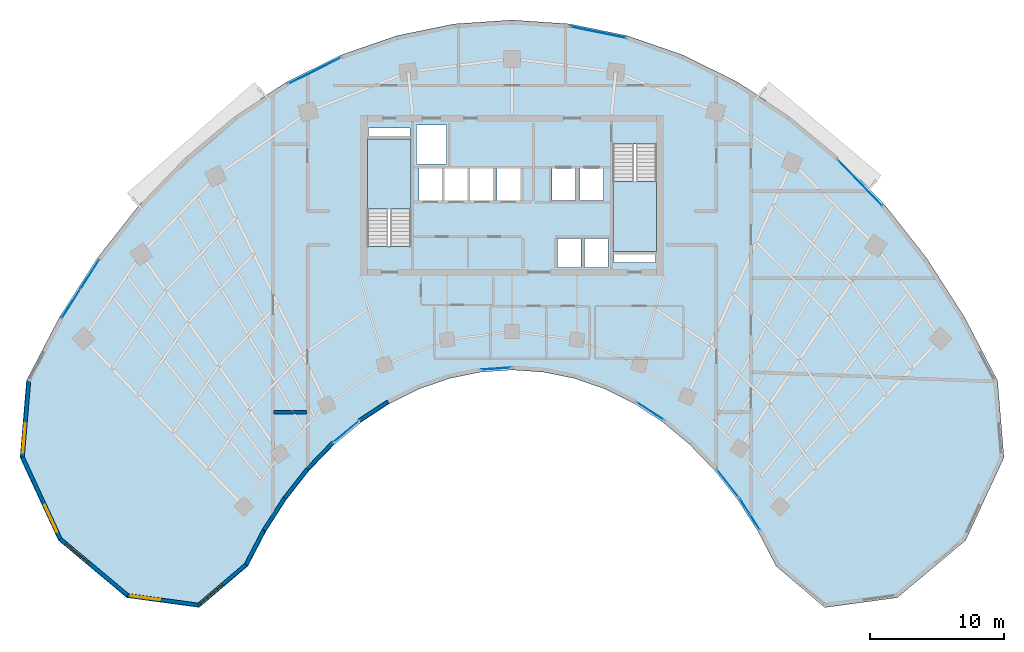
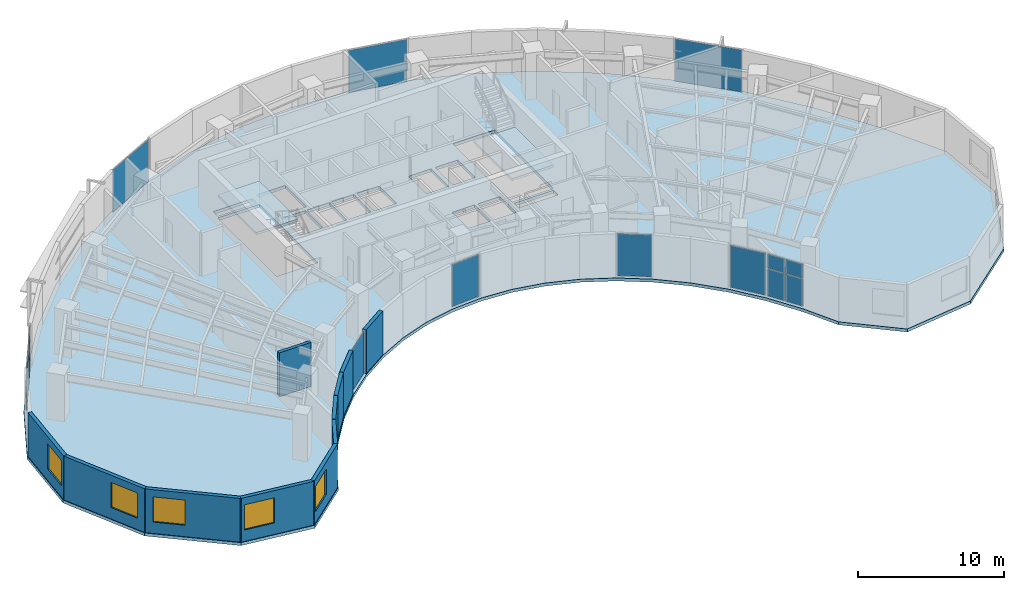
# One storey, part 7 of 14: 15 plates, 11 walls, 5 windows, 3 slabs, 5 openings, 11 elements without a shape of their own.
"""IFC4 building model written with IfcOpenShell, lengths in metres."""

from ifc_helpers import new_model, si_unit, direction, frame, frame_2d, origin, origin_2d, place, context, subcontext, project, spatial, polyline, rectangle, outline, extrude, source, transform, mapped, material, layer, layer_set, type_object, type_shapes, element, fill, aggregate, save


model = new_model("IFC4")

# Units and contexts
model_context = context("Model", 3, precision=1e-05, world=origin(), true_north=direction((0.0, 1.0)))
body_context = subcontext(model_context, "Body", "Model", "MODEL_VIEW")
ifc_project = project(units=[si_unit("LENGTHUNIT", "METRE"), si_unit("AREAUNIT", "SQUARE_METRE"), si_unit("VOLUMEUNIT", "CUBIC_METRE"), si_unit("PLANEANGLEUNIT", "RADIAN"), si_unit("MASSUNIT", "GRAM", prefix="KILO")], contexts=[model_context])

# Site, building, storey
site_placement = place(None, origin())
site = spatial("IfcSite", under=ifc_project, at=site_placement, CompositionType="ELEMENT")
building_placement = place(site_placement, origin())
building = spatial("IfcBuilding", under=site, at=building_placement, Name="Breltana Convention Tower", CompositionType="ELEMENT")
storey_placement = place(building_placement, frame((0.0, 0.0, 119.39990234375)))
storey = spatial("IfcBuildingStorey", under=building, at=storey_placement, Name="L28", CompositionType="ELEMENT", Elevation=119.39990234375)

# Slab
ifc_material_1 = material(Name="Concrete C40/50", Category="concrete")
ifc_layer_1 = layer(ifc_material_1, 0.25, Name="Concrete C40/50")
ifc_layer_set_1 = layer_set([ifc_layer_1], Name="Concrete C40/50")
slab_type_1 = type_object("IfcSlabType", Name="SL-OFF-250", PredefinedType="FLOOR", material=ifc_layer_set_1)
slab_1_placement = place(storey_placement, frame((0.0, 0.0, -0.25)))
element("IfcSlab", 1, at=slab_1_placement, inside=storey, type_object=slab_type_1, Name="L28 Suspended Structural Floor Slab", PredefinedType="FLOOR", context=body_context, shape_type="SweptSolid", body=[
    extrude(outline(polyline([(84.254150390625, 52.3564453125), (81.779052734375, 57.1103515625), (78.958251953125, 61.5048828125), (75.820556640625, 65.494873046875), (72.39794921875, 69.03955078125), (68.7255859375, 72.1025390625), (64.841064453125, 74.652587890625), (60.783935546875, 76.663818359375), (56.59619140625, 78.114990234375), (52.3203125, 78.99169921875), (48.0, 79.284912109375), (43.6796875, 78.99169921875), (39.40380859375, 78.114990234375), (35.216064453125, 76.663818359375), (31.158935546875, 74.652587890625), (27.2744140625, 72.1025390625), (23.60205078125, 69.03955078125), (20.179443359375, 65.494873046875), (17.041748046875, 61.5048828125), (14.220947265625, 57.1103515625), (11.745849609375, 52.3564453125), (11.266357421875, 46.619384765625), (14.128173828125, 40.42919921875), (19.23828125, 36.150146484375), (24.64501953125, 35.4169921875), (28.282958984375, 38.509521484375), (29.62890625, 41.09521484375), (31.1630859375, 43.485107421875), (32.869384765625, 45.655029296875), (34.73095703125, 47.5830078125), (36.728271484375, 49.248779296875), (38.8408203125, 50.6357421875), (41.04736328125, 51.7294921875), (43.324951171875, 52.518798828125), (45.650390625, 52.99560546875), (48.0, 53.155029296875), (50.349609375, 52.99560546875), (52.675048828125, 52.518798828125), (54.95263671875, 51.7294921875), (57.1591796875, 50.6357421875), (59.271728515625, 49.248779296875), (61.26904296875, 47.5830078125), (63.130615234375, 45.655029296875), (64.8369140625, 43.485107421875), (66.37109375, 41.09521484375), (67.717041015625, 38.509521484375), (71.35498046875, 35.4169921875), (76.76171875, 36.150146484375), (81.871826171875, 40.42919921875), (84.733642578125, 46.619384765625), (84.254150390625, 52.3564453125)]), holes=[polyline([(37.199951171875, 62.385009765625), (40.469970703125, 62.385009765625), (40.469970703125, 70.39990234375), (37.199951171875, 70.39990234375), (37.199951171875, 62.385009765625)]), polyline([(55.530029296875, 62.0), (58.800048828125, 62.0), (58.800048828125, 70.014892578125), (55.530029296875, 70.014892578125), (55.530029296875, 62.0)]), polyline([(51.39990234375, 60.800048828125), (53.159912109375, 60.800048828125), (53.159912109375, 62.97998046875), (51.39990234375, 62.97998046875), (51.39990234375, 60.800048828125)]), polyline([(53.39990234375, 60.800048828125), (55.159912109375, 60.800048828125), (55.159912109375, 62.97998046875), (53.39990234375, 62.97998046875), (53.39990234375, 60.800048828125)]), polyline([(41.0400390625, 65.820068359375), (42.800048828125, 65.820068359375), (42.800048828125, 68.179931640625), (41.0400390625, 68.179931640625), (41.0400390625, 65.820068359375)]), polyline([(42.93994140625, 65.820068359375), (44.699951171875, 65.820068359375), (44.699951171875, 68.179931640625), (42.93994140625, 68.179931640625), (42.93994140625, 65.820068359375)]), polyline([(44.8701171875, 65.820068359375), (46.6298828125, 65.820068359375), (46.6298828125, 68.179931640625), (44.8701171875, 68.179931640625), (44.8701171875, 65.820068359375)]), polyline([(46.8701171875, 65.820068359375), (48.6298828125, 65.820068359375), (48.6298828125, 68.179931640625), (46.8701171875, 68.179931640625), (46.8701171875, 65.820068359375)]), polyline([(50.969970703125, 65.800048828125), (52.72998046875, 65.800048828125), (52.72998046875, 68.179931640625), (50.969970703125, 68.179931640625), (50.969970703125, 65.800048828125)]), polyline([(53.070068359375, 65.800048828125), (54.830078125, 65.800048828125), (54.830078125, 68.179931640625), (53.070068359375, 68.179931640625), (53.070068359375, 65.800048828125)]), polyline([(40.8798828125, 68.550048828125), (43.1201171875, 68.550048828125), (43.1201171875, 71.449951171875), (40.8798828125, 71.449951171875), (40.8798828125, 68.550048828125)]), polyline([(37.300048828125, 70.60009765625), (40.3798828125, 70.60009765625), (40.3798828125, 71.219970703125), (37.300048828125, 71.219970703125), (37.300048828125, 70.60009765625)]), polyline([(55.6201171875, 61.179931640625), (58.699951171875, 61.179931640625), (58.699951171875, 61.800048828125), (55.6201171875, 61.800048828125), (55.6201171875, 61.179931640625)])]), origin(), (0.0, 0.0, 1.0), 0.25),
])

# Stair, slab
stair_type = type_object("IfcStairType", Name="ST-DOG-1560-R177", PredefinedType="HALF_TURN_STAIR", material=ifc_material_1)
stair_1_placement = place(storey_placement, origin())
stair_1 = element("IfcStair", 2, at=stair_1_placement, inside=storey, type_object=stair_type, Name="L28 Protected Core Exit Stair ST-1", PredefinedType="HALF_TURN_STAIR")
ifc_layer_2 = layer(ifc_material_1, 0.199951171875, Name="Concrete C40/50")
ifc_layer_set_2 = layer_set([ifc_layer_2], Name="Concrete C40/50")
slab_type_2 = type_object("IfcSlabType", Name="SL-STAIR-LANDING-200", PredefinedType="LANDING", material=ifc_layer_set_2)
slab_2_placement = place(storey_placement, frame((0.0, 0.0, 1.75)))
slab_2 = element("IfcSlab", 3, at=slab_2_placement, type_object=slab_type_2, Name="ST-1 landing 1", PredefinedType="LANDING", context=body_context, shape_type="SweptSolid", body=[
    extrude(outline(polyline([(40.469970703125, 65.159912109375), (40.469970703125, 70.39990234375), (37.199951171875, 70.39990234375), (37.199951171875, 65.159912109375), (40.469970703125, 65.159912109375)])), origin(), (0.0, 0.0, 1.0), 0.2001953125),
])
aggregate(stair_1, [slab_2])

stair_2_placement = place(storey_placement, origin())
stair_2 = element("IfcStair", 4, at=stair_2_placement, inside=storey, type_object=stair_type, Name="L28 Protected Core Exit Stair ST-2", PredefinedType="HALF_TURN_STAIR")
slab_3_placement = place(storey_placement, frame((0.0, 0.0, 1.75)))
slab_3 = element("IfcSlab", 5, at=slab_3_placement, type_object=slab_type_2, Name="ST-2 landing 1", PredefinedType="LANDING", context=body_context, shape_type="SweptSolid", body=[
    extrude(outline(polyline([(55.530029296875, 67.239990234375), (55.530029296875, 62.0), (58.800048828125, 62.0), (58.800048828125, 67.239990234375), (55.530029296875, 67.239990234375)])), origin(), (0.0, 0.0, 1.0), 0.2001953125),
])
aggregate(stair_2, [slab_3])

# Curtain wall, plates
ifc_material_2 = material(Name="Aluminium Anodised Bronze Frame", Category="aluminium")
ifc_layer_3 = layer(ifc_material_2, 0.18994140625, Name="Aluminium Anodised Bronze Frame")
ifc_layer_set_3 = layer_set([ifc_layer_3], Name="Aluminium Anodised Bronze Frame")
curtain_wall_type_1 = type_object("IfcCurtainWallType", Name="CW-SYS-1", PredefinedType="NOTDEFINED", material=ifc_layer_set_3)
curtain_wall_1_placement = place(storey_placement, origin())
curtain_wall_1 = element("IfcCurtainWall", 6, at=curtain_wall_1_placement, inside=storey, type_object=curtain_wall_type_1, Name="L28 inner south-court glazing 1", PredefinedType="NOTDEFINED")
ifc_material_3 = material(Name="Glass Low-E Double Glazing", Category="glass")
ifc_layer_4 = layer(ifc_material_3, 0.028076171875, Name="Glass Low-E Double Glazing")
ifc_layer_set_4 = layer_set([ifc_layer_4], Name="Glass Low-E Double Glazing")
plate_type_1 = type_object("IfcPlateType", Name="CWP-IGU-28", PredefinedType="CURTAIN_PANEL", material=ifc_layer_set_4)
shared_shape_1 = source(origin(), body_context, "Body", "SweptSolid", [
    extrude(rectangle(XDim=1.300048828125, YDim=0.028076171875, at=origin_2d()), origin(), (0.0, 0.0, 1.0), 2.25244140625),
])
plate_1_placement = place(storey_placement, frame((66.128173828125, 41.806640625, 0.080078125), z_axis=(0.0, 0.0, 1.0), x_axis=(-0.5401773017, 0.841551235949, 0.0)))
plate_1 = element("IfcPlate", 7, at=plate_1_placement, type_object=plate_type_1, Name="CW-01 panel 1.1", PredefinedType="CURTAIN_PANEL", context=body_context, shape_type="MappedRepresentation", body=[
    mapped(shared_shape_1, transform((0.0, 0.0, 0.0), scale=1.0)),
])
plate_2_placement = place(storey_placement, frame((65.3828125, 42.968017578125, 0.080078125), z_axis=(0.0, 0.0, 1.0), x_axis=(-0.5401773017, 0.841551235949, 0.0)))
plate_2 = element("IfcPlate", 8, at=plate_2_placement, type_object=plate_type_1, Name="CW-01 panel 2.1", PredefinedType="CURTAIN_PANEL", context=body_context, shape_type="MappedRepresentation", body=[
    mapped(shared_shape_1, transform((0.0, 0.0, 0.0), scale=1.0)),
])
shared_shape_2 = source(origin(), body_context, "Body", "SweptSolid", [
    extrude(rectangle(XDim=1.300048828125, YDim=0.028076171875, at=origin_2d()), origin(), (0.0, 0.0, 1.0), 1.157470703125),
])
plate_3_placement = place(storey_placement, frame((66.128173828125, 41.806640625, 2.41259765625), z_axis=(0.0, 0.0, 1.0), x_axis=(-0.5401773017, 0.841551235949, 0.0)))
plate_3 = element("IfcPlate", 9, at=plate_3_placement, type_object=plate_type_1, Name="CW-01 panel 1.2", PredefinedType="CURTAIN_PANEL", context=body_context, shape_type="MappedRepresentation", body=[
    mapped(shared_shape_2, transform((0.0, 0.0, 0.0), scale=1.0)),
])
plate_4_placement = place(storey_placement, frame((65.3828125, 42.968017578125, 2.41259765625), z_axis=(0.0, 0.0, 1.0), x_axis=(-0.5401773017, 0.841551235949, 0.0)))
plate_4 = element("IfcPlate", 10, at=plate_4_placement, type_object=plate_type_1, Name="CW-01 panel 2.2", PredefinedType="CURTAIN_PANEL", context=body_context, shape_type="MappedRepresentation", body=[
    mapped(shared_shape_2, transform((0.0, 0.0, 0.0), scale=1.0)),
])
aggregate(curtain_wall_1, [plate_1, plate_3, plate_2, plate_4])

# Curtain wall, plate
curtain_wall_2_placement = place(storey_placement, origin())
curtain_wall_2 = element("IfcCurtainWall", 11, at=curtain_wall_2_placement, inside=storey, type_object=curtain_wall_type_1, Name="L28 inner south-court glazing 2", PredefinedType="NOTDEFINED")
shared_shape_3 = source(origin(), body_context, "Body", "SweptSolid", [
    extrude(rectangle(XDim=2.6005859375, YDim=0.028076171875, at=origin_2d()), origin(), (0.0, 0.0, 1.0), 3.489990234375),
])
plate_5_placement = place(storey_placement, frame((64.125244140625, 44.681396484375, 0.080078125), z_axis=(0.0, 0.0, 1.0), x_axis=(-0.61815745037, 0.786054302547, 0.0)))
plate_5 = element("IfcPlate", 12, at=plate_5_placement, type_object=plate_type_1, Name="CW-01 panel 1.1", PredefinedType="CURTAIN_PANEL", context=body_context, shape_type="MappedRepresentation", body=[
    mapped(shared_shape_3, transform((0.0, 0.0, 0.0), scale=1.0)),
])
aggregate(curtain_wall_2, [plate_5])

curtain_wall_3_placement = place(storey_placement, origin())
curtain_wall_3 = element("IfcCurtainWall", 13, at=curtain_wall_3_placement, inside=storey, type_object=curtain_wall_type_1, Name="L28 inner south-court glazing 3", PredefinedType="NOTDEFINED")
shared_shape_4 = source(origin(), body_context, "Body", "SweptSolid", [
    extrude(rectangle(XDim=2.3671875, YDim=0.028076171875, at=origin_2d()), origin(), (0.0, 0.0, 1.0), 3.489990234375),
])
plate_6_placement = place(storey_placement, frame((58.314208984375, 50.0927734375, 0.080078125), z_axis=(0.0, 0.0, 1.0), x_axis=(-0.835967927261, 0.548778301858, 0.0)))
plate_6 = element("IfcPlate", 14, at=plate_6_placement, type_object=plate_type_1, Name="CW-01 panel 1.1", PredefinedType="CURTAIN_PANEL", context=body_context, shape_type="MappedRepresentation", body=[
    mapped(shared_shape_4, transform((0.0, 0.0, 0.0), scale=1.0)),
])
aggregate(curtain_wall_3, [plate_6])

curtain_wall_4_placement = place(storey_placement, origin())
curtain_wall_4 = element("IfcCurtainWall", 15, at=curtain_wall_4_placement, inside=storey, type_object=curtain_wall_type_1, Name="L28 inner south-court glazing 4", PredefinedType="NOTDEFINED")
shared_shape_5 = source(origin(), body_context, "Body", "SweptSolid", [
    extrude(rectangle(XDim=2.195068359375, YDim=0.028076171875, at=origin_2d()), origin(), (0.0, 0.0, 1.0), 3.489990234375),
])
plate_7_placement = place(storey_placement, frame((46.81298828125, 53.2548828125, 0.080078125), z_axis=(0.0, 0.0, 1.0), x_axis=(-0.997703821328, -0.067728021582, 0.0)))
plate_7 = element("IfcPlate", 16, at=plate_7_placement, type_object=plate_type_1, Name="CW-01 panel 1.1", PredefinedType="CURTAIN_PANEL", context=body_context, shape_type="MappedRepresentation", body=[
    mapped(shared_shape_5, transform((0.0, 0.0, 0.0), scale=1.0)),
])
aggregate(curtain_wall_4, [plate_7])

curtain_wall_5_placement = place(storey_placement, origin())
curtain_wall_5 = element("IfcCurtainWall", 17, at=curtain_wall_5_placement, inside=storey, type_object=curtain_wall_type_1, Name="L28 inner south-court glazing 5", PredefinedType="NOTDEFINED")
shared_shape_6 = source(origin(), body_context, "Body", "SweptSolid", [
    extrude(rectangle(XDim=2.44091796875, YDim=0.028076171875, at=origin_2d()), origin(), (0.0, 0.0, 1.0), 3.489990234375),
])
plate_8_placement = place(storey_placement, frame((35.6142578125, 48.553955078125, 0.080078125), z_axis=(0.0, 0.0, 1.0), x_axis=(-0.76794071768, -0.640520924036, 0.0)))
plate_8 = element("IfcPlate", 18, at=plate_8_placement, type_object=plate_type_1, Name="CW-01 panel 1.1", PredefinedType="CURTAIN_PANEL", context=body_context, shape_type="MappedRepresentation", body=[
    mapped(shared_shape_6, transform((0.0, 0.0, 0.0), scale=1.0)),
])
aggregate(curtain_wall_5, [plate_8])

# Curtain wall, plates
ifc_layer_5 = layer(ifc_material_2, 0.22998046875, Name="Aluminium Anodised Bronze Frame")
ifc_layer_set_5 = layer_set([ifc_layer_5], Name="Aluminium Anodised Bronze Frame")
curtain_wall_type_2 = type_object("IfcCurtainWallType", Name="CW-SYS-5", PredefinedType="NOTDEFINED", material=ifc_layer_set_5)
curtain_wall_6_placement = place(storey_placement, origin())
curtain_wall_6 = element("IfcCurtainWall", 19, at=curtain_wall_6_placement, inside=storey, type_object=curtain_wall_type_2, Name="L28 outer double-skin inner glazing 1", PredefinedType="NOTDEFINED")
ifc_layer_6 = layer(ifc_material_3, 0.035888671875, Name="Glass Low-E Double Glazing")
ifc_layer_set_6 = layer_set([ifc_layer_6], Name="Glass Low-E Double Glazing")
plate_type_2 = type_object("IfcPlateType", Name="CWP-IGU-36", PredefinedType="CURTAIN_PANEL", material=ifc_layer_set_6)
shared_shape_7 = source(origin(), body_context, "Body", "SweptSolid", [
    extrude(rectangle(XDim=2.49755859375, YDim=0.035888671875, at=origin_2d()), origin(), (0.0, 0.0, 1.0), 2.267578125),
])
plate_9_placement = place(storey_placement, frame((15.089111328125, 58.1298828125, 0.070068359375), z_axis=(0.0, 0.0, 1.0), x_axis=(0.540176809834, 0.84155155167, 0.0)))
plate_9 = element("IfcPlate", 20, at=plate_9_placement, type_object=plate_type_2, Name="CW-05 panel 1.1", PredefinedType="CURTAIN_PANEL", context=body_context, shape_type="MappedRepresentation", body=[
    mapped(shared_shape_7, transform((0.0, 0.0, 0.0), scale=1.0)),
])
plate_10_placement = place(storey_placement, frame((16.47607421875, 60.29052734375, 0.070068359375), z_axis=(0.0, 0.0, 1.0), x_axis=(0.540176809834, 0.84155155167, 0.0)))
plate_10 = element("IfcPlate", 21, at=plate_10_placement, type_object=plate_type_2, Name="CW-05 panel 2.1", PredefinedType="CURTAIN_PANEL", context=body_context, shape_type="MappedRepresentation", body=[
    mapped(shared_shape_7, transform((0.0, 0.0, 0.0), scale=1.0)),
])
shared_shape_8 = source(origin(), body_context, "Body", "SweptSolid", [
    extrude(rectangle(XDim=2.49755859375, YDim=0.035888671875, at=origin_2d()), origin(), (0.0, 0.0, 1.0), 1.172607421875),
])
plate_11_placement = place(storey_placement, frame((15.089111328125, 58.1298828125, 2.40771484375), z_axis=(0.0, 0.0, 1.0), x_axis=(0.540176809834, 0.84155155167, 0.0)))
plate_11 = element("IfcPlate", 22, at=plate_11_placement, type_object=plate_type_2, Name="CW-05 panel 1.2", PredefinedType="CURTAIN_PANEL", context=body_context, shape_type="MappedRepresentation", body=[
    mapped(shared_shape_8, transform((0.0, 0.0, 0.0), scale=1.0)),
])
plate_12_placement = place(storey_placement, frame((16.47607421875, 60.29052734375, 2.40771484375), z_axis=(0.0, 0.0, 1.0), x_axis=(0.540176809834, 0.84155155167, 0.0)))
plate_12 = element("IfcPlate", 23, at=plate_12_placement, type_object=plate_type_2, Name="CW-05 panel 2.2", PredefinedType="CURTAIN_PANEL", context=body_context, shape_type="MappedRepresentation", body=[
    mapped(shared_shape_8, transform((0.0, 0.0, 0.0), scale=1.0)),
])
aggregate(curtain_wall_6, [plate_9, plate_11, plate_10, plate_12])

# Curtain wall, plate
curtain_wall_7_placement = place(storey_placement, origin())
curtain_wall_7 = element("IfcCurtainWall", 24, at=curtain_wall_7_placement, inside=storey, type_object=curtain_wall_type_2, Name="L28 outer double-skin inner glazing 2", PredefinedType="NOTDEFINED")
shared_shape_9 = source(origin(), body_context, "Body", "SweptSolid", [
    extrude(rectangle(XDim=4.36572265625, YDim=0.035888671875, at=origin_2d()), origin(), (0.0, 0.0, 1.0), 3.510009765625),
])
plate_13_placement = place(storey_placement, frame((33.26708984375, 75.496826171875, 0.0703125), z_axis=(0.0, 0.0, 1.0), x_axis=(0.895966548937, 0.444121541007, 0.0)))
plate_13 = element("IfcPlate", 25, at=plate_13_placement, type_object=plate_type_2, Name="CW-05 panel 1.1", PredefinedType="CURTAIN_PANEL", context=body_context, shape_type="MappedRepresentation", body=[
    mapped(shared_shape_9, transform((0.0, 0.0, 0.0), scale=1.0)),
])
aggregate(curtain_wall_7, [plate_13])

curtain_wall_8_placement = place(storey_placement, origin())
curtain_wall_8 = element("IfcCurtainWall", 26, at=curtain_wall_8_placement, inside=storey, type_object=curtain_wall_type_2, Name="L28 outer double-skin inner glazing 3", PredefinedType="NOTDEFINED")
shared_shape_10 = source(origin(), body_context, "Body", "SweptSolid", [
    extrude(rectangle(XDim=4.200927734375, YDim=0.035888671875, at=origin_2d()), origin(), (0.0, 0.0, 1.0), 3.510009765625),
])
plate_14_placement = place(storey_placement, frame((54.422119140625, 78.376953125, 0.0703125), z_axis=(0.0, 0.0, 1.0), x_axis=(0.979620254346, -0.200858550415, 0.0)))
plate_14 = element("IfcPlate", 27, at=plate_14_placement, type_object=plate_type_2, Name="CW-05 panel 1.1", PredefinedType="CURTAIN_PANEL", context=body_context, shape_type="MappedRepresentation", body=[
    mapped(shared_shape_10, transform((0.0, 0.0, 0.0), scale=1.0)),
])
aggregate(curtain_wall_8, [plate_14])

curtain_wall_9_placement = place(storey_placement, origin())
curtain_wall_9 = element("IfcCurtainWall", 28, at=curtain_wall_9_placement, inside=storey, type_object=curtain_wall_type_2, Name="L28 outer double-skin inner glazing 4", PredefinedType="NOTDEFINED")
shared_shape_11 = source(origin(), body_context, "Body", "SweptSolid", [
    extrude(rectangle(XDim=4.7685546875, YDim=0.035888671875, at=origin_2d()), origin(), (0.0, 0.0, 1.0), 3.510009765625),
])
plate_15_placement = place(storey_placement, frame((73.97998046875, 67.141845703125, 0.0703125), z_axis=(0.0, 0.0, 1.0), x_axis=(0.694611601605, -0.719384961558, 0.0)))
plate_15 = element("IfcPlate", 29, at=plate_15_placement, type_object=plate_type_2, Name="CW-05 panel 1.1", PredefinedType="CURTAIN_PANEL", context=body_context, shape_type="MappedRepresentation", body=[
    mapped(shared_shape_11, transform((0.0, 0.0, 0.0), scale=1.0)),
])
aggregate(curtain_wall_9, [plate_15])

# Wall, opening, window
ifc_material_4 = material(Name="Limestone Buff Insulated Wall", Category="masonry")
ifc_layer_7 = layer(ifc_material_4, 0.280029296875, Name="Limestone Buff Insulated Wall")
ifc_layer_set_7 = layer_set([ifc_layer_7], Name="Limestone Buff Insulated Wall")
wall_type_1 = type_object("IfcWallType", Name="WL-EXT-NOSE-280", PredefinedType="SOLIDWALL", material=ifc_layer_set_7)
shared_shape_12 = source(origin(), body_context, "Body", "SweptSolid", [
    extrude(rectangle(XDim=5.673583984375, YDim=0.280029296875, at=frame_2d((2.8369140625, 0.0))), origin(), (0.0, 0.0, 1.0), 3.650146484375),
])
wall_1_placement = place(storey_placement, frame((11.44970703125, 46.651611328125, 0.0), z_axis=(0.0, 0.0, 1.0), x_axis=(0.083309007867, 0.996523762491, 0.0)))
wall_1 = element("IfcWall", 30, at=wall_1_placement, inside=storey, type_object=wall_type_1, Name="L28 curved limestone nose wall W6", PredefinedType="SOLIDWALL", context=body_context, shape_type="MappedRepresentation", body=[
    mapped(shared_shape_12, transform((0.0, 0.0, 0.0), scale=1.0)),
])
opening_1_placement = place(wall_1_placement, frame((0.318359375, 0.0, 0.949951171875)))
opening_1 = element("IfcOpeningElement", 31, at=opening_1_placement, cuts=wall_1, Name="Opening W-03", PredefinedType="OPENING", context=body_context, shape_type="SweptSolid", body=[
    extrude(rectangle(XDim=2.199951171875, YDim=2.10009765625, at=frame_2d((1.10009765625, 1.050048828125))), frame((0.0, 0.14990234375, 0.0), z_axis=(0.0, -1.0, 0.0), x_axis=(1.0, 0.0, 0.0)), (0.0, 0.0, 1.0), 0.300048828125),
])
ifc_material_5 = material(Name="Glass Low-E Insulated Window", Category="glass")
window_type = type_object("IfcWindowType", Name="WN-NOSE-2200X2100", PartitioningType="TRIPLE_PANEL_VERTICAL", PredefinedType="WINDOW", material=ifc_material_5)
shared_shape_13 = source(origin(), body_context, "Body", "SweptSolid", [
    extrude(rectangle(XDim=2.199951171875, YDim=2.10009765625, at=frame_2d((1.10009765625, 1.050048828125))), frame((0.0, 0.030029296875, 0.0), z_axis=(0.0, -1.0, 0.0), x_axis=(1.0, 0.0, 0.0)), (0.0, 0.0, 1.0), 0.06005859375),
])
type_shapes(window_type, [shared_shape_13])
window_1_placement = place(opening_1_placement, origin())
window_1 = element("IfcWindow", 32, at=window_1_placement, inside=storey, type_object=window_type, Name="L28 nose window W6", OverallHeight=2.10009765625, OverallWidth=2.199951171875, PartitioningType="TRIPLE_PANEL_VERTICAL", PredefinedType="WINDOW", context=body_context, shape_type="MappedRepresentation", body=[
    mapped(shared_shape_13, transform((0.0, 0.0, 0.0), scale=1.0)),
])
fill(opening_1, window_1)

shared_shape_14 = source(origin(), body_context, "Body", "SweptSolid", [
    extrude(rectangle(XDim=6.731689453125, YDim=0.280029296875, at=frame_2d((3.36572265625, 0.0))), origin(), (0.0, 0.0, 1.0), 3.650146484375),
])
wall_2_placement = place(storey_placement, frame((14.274658203125, 40.541259765625, 0.0), z_axis=(0.0, 0.0, 1.0), x_axis=(-0.419644552709, 0.907688520023, 0.0)))
wall_2 = element("IfcWall", 33, at=wall_2_placement, inside=storey, type_object=wall_type_1, Name="L28 curved limestone nose wall W5", PredefinedType="SOLIDWALL", context=body_context, shape_type="MappedRepresentation", body=[
    mapped(shared_shape_14, transform((0.0, 0.0, 0.0), scale=1.0)),
])
opening_2_placement = place(wall_2_placement, frame((0.5830078125, 0.0, 0.949951171875)))
opening_2 = element("IfcOpeningElement", 34, at=opening_2_placement, cuts=wall_2, Name="Opening W-03", PredefinedType="OPENING", context=body_context, shape_type="SweptSolid", body=[
    extrude(rectangle(XDim=2.199951171875, YDim=2.10009765625, at=frame_2d((1.10009765625, 1.050048828125))), frame((0.0, 0.14990234375, 0.0), z_axis=(0.0, -1.0, 0.0), x_axis=(1.0, 0.0, 0.0)), (0.0, 0.0, 1.0), 0.300048828125),
])
window_2_placement = place(opening_2_placement, origin())
window_2 = element("IfcWindow", 35, at=window_2_placement, inside=storey, type_object=window_type, Name="L28 nose window W5", OverallHeight=2.10009765625, OverallWidth=2.199951171875, PartitioningType="TRIPLE_PANEL_VERTICAL", PredefinedType="WINDOW", context=body_context, shape_type="MappedRepresentation", body=[
    mapped(shared_shape_13, transform((0.0, 0.0, 0.0), scale=1.0)),
])
fill(opening_2, window_2)

shared_shape_15 = source(origin(), body_context, "Body", "SweptSolid", [
    extrude(rectangle(XDim=6.572998046875, YDim=0.280029296875, at=frame_2d((3.28662109375, 0.0))), origin(), (0.0, 0.0, 1.0), 3.650146484375),
])
wall_3_placement = place(storey_placement, frame((19.314208984375, 36.321533203125, 0.0), z_axis=(0.0, 0.0, 1.0), x_axis=(-0.766715154163, 0.641987439423, 0.0)))
wall_3 = element("IfcWall", 36, at=wall_3_placement, inside=storey, type_object=wall_type_1, Name="L28 curved limestone nose wall W4", PredefinedType="SOLIDWALL", context=body_context, shape_type="MappedRepresentation", body=[
    mapped(shared_shape_15, transform((0.0, 0.0, 0.0), scale=1.0)),
])
opening_3_placement = place(wall_3_placement, frame((3.82958984375, 0.0, 0.949951171875)))
opening_3 = element("IfcOpeningElement", 37, at=opening_3_placement, cuts=wall_3, Name="Opening W-03", PredefinedType="OPENING", context=body_context, shape_type="SweptSolid", body=[
    extrude(rectangle(XDim=2.199951171875, YDim=2.10009765625, at=frame_2d((1.10009765625, 1.050048828125))), frame((0.0, 0.14990234375, 0.0), z_axis=(0.0, -1.0, 0.0), x_axis=(1.0, 0.0, 0.0)), (0.0, 0.0, 1.0), 0.300048828125),
])
window_3_placement = place(opening_3_placement, origin())
window_3 = element("IfcWindow", 38, at=window_3_placement, inside=storey, type_object=window_type, Name="L28 nose window W4", OverallHeight=2.10009765625, OverallWidth=2.199951171875, PartitioningType="TRIPLE_PANEL_VERTICAL", PredefinedType="WINDOW", context=body_context, shape_type="MappedRepresentation", body=[
    mapped(shared_shape_13, transform((0.0, 0.0, 0.0), scale=1.0)),
])
fill(opening_3, window_3)

shared_shape_16 = source(origin(), body_context, "Body", "SweptSolid", [
    extrude(rectangle(XDim=5.32373046875, YDim=0.280029296875, at=frame_2d((2.661865234375, 0.0))), origin(), (0.0, 0.0, 1.0), 3.650146484375),
])
wall_4_placement = place(storey_placement, frame((24.589599609375, 35.606201171875, 0.0), z_axis=(0.0, 0.0, 1.0), x_axis=(-0.990931467223, 0.134368252451, 0.0)))
wall_4 = element("IfcWall", 39, at=wall_4_placement, inside=storey, type_object=wall_type_1, Name="L28 curved limestone nose wall W3", PredefinedType="SOLIDWALL", context=body_context, shape_type="MappedRepresentation", body=[
    mapped(shared_shape_16, transform((0.0, 0.0, 0.0), scale=1.0)),
])
opening_4_placement = place(wall_4_placement, frame((2.892822265625, 0.0, 0.949951171875)))
opening_4 = element("IfcOpeningElement", 40, at=opening_4_placement, cuts=wall_4, Name="Opening W-03", PredefinedType="OPENING", context=body_context, shape_type="SweptSolid", body=[
    extrude(rectangle(XDim=2.199951171875, YDim=2.10009765625, at=frame_2d((1.10009765625, 1.050048828125))), frame((0.0, 0.14990234375, 0.0), z_axis=(0.0, -1.0, 0.0), x_axis=(1.0, 0.0, 0.0)), (0.0, 0.0, 1.0), 0.300048828125),
])
window_4_placement = place(opening_4_placement, origin())
window_4 = element("IfcWindow", 41, at=window_4_placement, inside=storey, type_object=window_type, Name="L28 nose window W3", OverallHeight=2.10009765625, OverallWidth=2.199951171875, PartitioningType="TRIPLE_PANEL_VERTICAL", PredefinedType="WINDOW", context=body_context, shape_type="MappedRepresentation", body=[
    mapped(shared_shape_13, transform((0.0, 0.0, 0.0), scale=1.0)),
])
fill(opening_4, window_4)

shared_shape_17 = source(origin(), body_context, "Body", "SweptSolid", [
    extrude(rectangle(XDim=4.6591796875, YDim=0.280029296875, at=frame_2d((2.32958984375, 0.0))), origin(), (0.0, 0.0, 1.0), 3.650146484375),
])
wall_5_placement = place(storey_placement, frame((28.139404296875, 38.623779296875, 0.0), z_axis=(0.0, 0.0, 1.0), x_axis=(-0.761913458795, -0.647678841176, 0.0)))
wall_5 = element("IfcWall", 42, at=wall_5_placement, inside=storey, type_object=wall_type_1, Name="L28 curved limestone nose wall W2", PredefinedType="SOLIDWALL", context=body_context, shape_type="MappedRepresentation", body=[
    mapped(shared_shape_17, transform((0.0, 0.0, 0.0), scale=1.0)),
])
opening_5_placement = place(wall_5_placement, frame((2.29931640625, 0.0, 0.949951171875)))
opening_5 = element("IfcOpeningElement", 43, at=opening_5_placement, cuts=wall_5, Name="Opening W-03", PredefinedType="OPENING", context=body_context, shape_type="SweptSolid", body=[
    extrude(rectangle(XDim=2.199951171875, YDim=2.10009765625, at=frame_2d((1.10009765625, 1.050048828125))), frame((0.0, 0.14990234375, 0.0), z_axis=(0.0, -1.0, 0.0), x_axis=(1.0, 0.0, 0.0)), (0.0, 0.0, 1.0), 0.300048828125),
])
window_5_placement = place(opening_5_placement, origin())
window_5 = element("IfcWindow", 44, at=window_5_placement, inside=storey, type_object=window_type, Name="L28 nose window W2", OverallHeight=2.10009765625, OverallWidth=2.199951171875, PartitioningType="TRIPLE_PANEL_VERTICAL", PredefinedType="WINDOW", context=body_context, shape_type="MappedRepresentation", body=[
    mapped(shared_shape_13, transform((0.0, 0.0, 0.0), scale=1.0)),
])
fill(opening_5, window_5)

# Walls
shared_shape_18 = source(origin(), body_context, "Body", "SweptSolid", [
    extrude(rectangle(XDim=2.8798828125, YDim=0.280029296875, at=frame_2d((1.43994140625, 0.0))), origin(), (0.0, 0.0, 1.0), 3.650146484375),
])
wall_6_placement = place(storey_placement, frame((29.46923828125, 41.17822265625, 0.0), z_axis=(0.0, 0.0, 1.0), x_axis=(-0.461769086658, -0.887000175088, 0.0)))
element("IfcWall", 45, at=wall_6_placement, inside=storey, type_object=wall_type_1, Name="L28 curved limestone nose wall W1", PredefinedType="SOLIDWALL", context=body_context, shape_type="MappedRepresentation", body=[
    mapped(shared_shape_18, transform((0.0, 0.0, 0.0), scale=1.0)),
])
shared_shape_19 = source(origin(), body_context, "Body", "SweptSolid", [
    extrude(rectangle(XDim=2.679931640625, YDim=0.280029296875, at=frame_2d((1.33984375, 0.0))), origin(), (0.0, 0.0, 1.0), 3.650146484375),
])
wall_7_placement = place(storey_placement, frame((34.601318359375, 47.7080078125, 0.0), z_axis=(0.0, 0.0, 1.0), x_axis=(-0.694561996568, -0.719432855049, 0.0)))
element("IfcWall", 46, at=wall_7_placement, inside=storey, type_object=wall_type_1, Name="L28 curved limestone nose wall E17", PredefinedType="SOLIDWALL", context=body_context, shape_type="MappedRepresentation", body=[
    mapped(shared_shape_19, transform((0.0, 0.0, 0.0), scale=1.0)),
])
shared_shape_20 = source(origin(), body_context, "Body", "SweptSolid", [
    extrude(rectangle(XDim=2.52734375, YDim=0.280029296875, at=frame_2d((1.263671875, 0.0))), origin(), (0.0, 0.0, 1.0), 3.650146484375),
])
wall_8_placement = place(storey_placement, frame((38.7421875, 50.7861328125, 0.0), z_axis=(0.0, 0.0, 1.0), x_axis=(-0.836011905051, -0.548711303523, 0.0)))
element("IfcWall", 47, at=wall_8_placement, inside=storey, type_object=wall_type_1, Name="L28 curved limestone nose wall E16", PredefinedType="SOLIDWALL", context=body_context, shape_type="MappedRepresentation", body=[
    mapped(shared_shape_20, transform((0.0, 0.0, 0.0), scale=1.0)),
])
shared_shape_21 = source(origin(), body_context, "Body", "SweptSolid", [
    extrude(rectangle(XDim=2.760498046875, YDim=0.280029296875, at=frame_2d((1.38037109375, 0.0))), origin(), (0.0, 0.0, 1.0), 3.650146484375),
])
wall_9_placement = place(storey_placement, frame((32.72802734375, 45.766357421875, 0.0), z_axis=(0.0, 0.0, 1.0), x_axis=(-0.618180818641, -0.786035925047, 0.0)))
element("IfcWall", 48, at=wall_9_placement, inside=storey, type_object=wall_type_1, Name="L28 curved limestone nose wall E18", PredefinedType="SOLIDWALL", context=body_context, shape_type="MappedRepresentation", body=[
    mapped(shared_shape_21, transform((0.0, 0.0, 0.0), scale=1.0)),
])
shared_shape_22 = source(origin(), body_context, "Body", "SweptSolid", [
    extrude(rectangle(XDim=2.83984375, YDim=0.280029296875, at=frame_2d((1.419921875, 0.0))), origin(), (0.0, 0.0, 1.0), 3.650146484375),
])
wall_10_placement = place(storey_placement, frame((31.011474609375, 43.582275390625, 0.0), z_axis=(0.0, 0.0, 1.0), x_axis=(-0.540214368057, -0.841527442538, 0.0)))
element("IfcWall", 49, at=wall_10_placement, inside=storey, type_object=wall_type_1, Name="L28 curved limestone nose wall E19", PredefinedType="SOLIDWALL", context=body_context, shape_type="MappedRepresentation", body=[
    mapped(shared_shape_22, transform((0.0, 0.0, 0.0), scale=1.0)),
])
ifc_material_6 = material(Name="Gypsum Acoustic Double Stud Wall")
ifc_layer_8 = layer(ifc_material_6, 0.25, Name="Gypsum Acoustic Double Stud Wall")
ifc_layer_set_8 = layer_set([ifc_layer_8], Name="Gypsum Acoustic Double Stud Wall")
wall_type_2 = type_object("IfcWallType", Name="WL-ACOUSTIC-250", PredefinedType="PARTITIONING", material=ifc_layer_set_8)
shared_shape_23 = source(origin(), body_context, "Body", "SweptSolid", [
    extrude(rectangle(XDim=2.5, YDim=0.25, at=frame_2d((1.25, 0.0))), origin(), (0.0, 0.0, 1.0), 3.650146484375),
])
wall_11_placement = place(storey_placement, frame((30.199951171875, 50.0, 0.0), z_axis=(0.0, 0.0, 1.0), x_axis=(1.0, 0.0, 0.0)))
element("IfcWall", 50, at=wall_11_placement, inside=storey, type_object=wall_type_2, Name="L28 interior partition W-L28-CORNW-S", PredefinedType="PARTITIONING", context=body_context, shape_type="MappedRepresentation", body=[
    mapped(shared_shape_23, transform((0.0, 0.0, 0.0), scale=1.0)),
])

save(model, "model.ifc")
